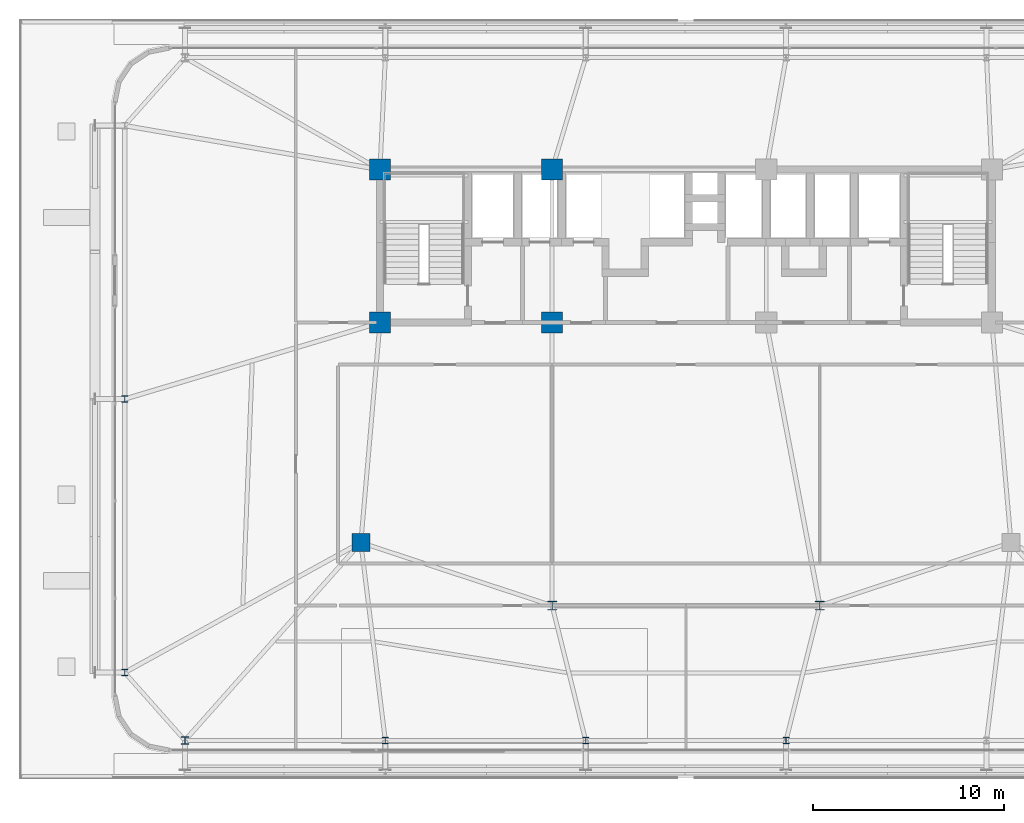
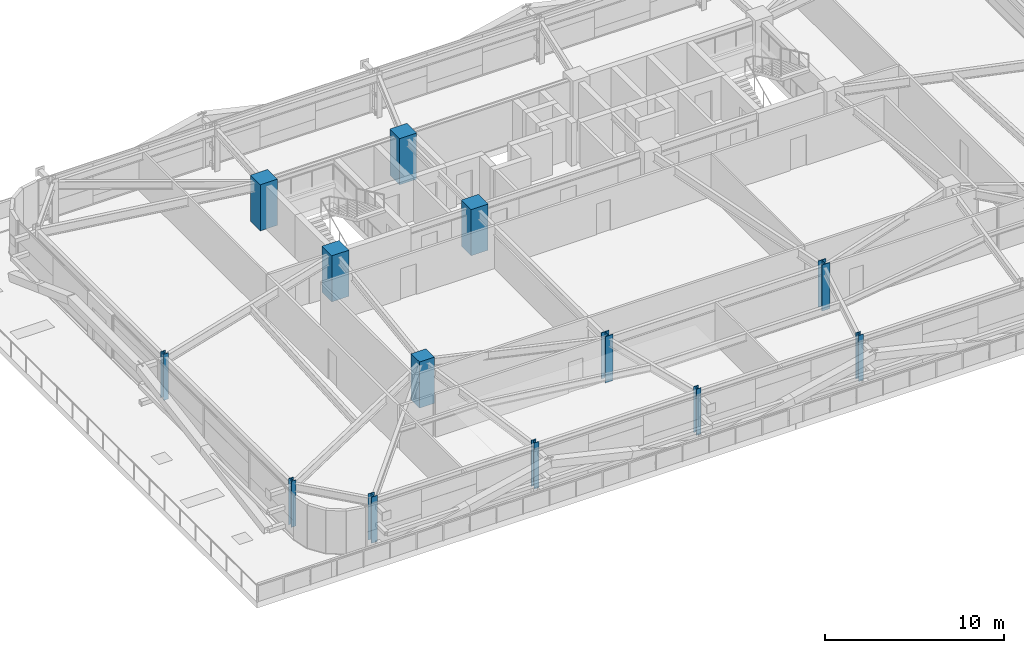
# One storey, part 1 of 56: 13 columns.
"""IFC4 building model written with IfcOpenShell, lengths in metres."""

from ifc_helpers import new_model, si_unit, direction, frame, origin, origin_2d, place, context, subcontext, project, spatial, rectangle, i_section, extrude, source, transform, mapped, material, material_profile, profile_set, type_object, element, save


model = new_model("IFC4")

# Units and contexts
model_context = context("Model", 3, precision=1e-05, world=origin(), true_north=direction((0.0, 1.0)))
body_context = subcontext(model_context, "Body", "Model", "MODEL_VIEW")
ifc_project = project(units=[si_unit("LENGTHUNIT", "METRE"), si_unit("AREAUNIT", "SQUARE_METRE"), si_unit("VOLUMEUNIT", "CUBIC_METRE"), si_unit("PLANEANGLEUNIT", "RADIAN"), si_unit("MASSUNIT", "GRAM", prefix="KILO")], contexts=[model_context])

# Site, building, storey
site_placement = place(None, origin())
site = spatial("IfcSite", under=ifc_project, at=site_placement, CompositionType="ELEMENT")
building_placement = place(site_placement, origin())
building = spatial("IfcBuilding", under=site, at=building_placement, Name="Taldren Reach Tower", CompositionType="ELEMENT")
storey_placement = place(building_placement, frame((0.0, 0.0, 16.800048828125)))
storey = spatial("IfcBuildingStorey", under=building, at=storey_placement, Name="L04", CompositionType="ELEMENT", Elevation=16.800048828125)

# Columns
ifc_material_1 = material(Name="Concrete S100 (100 MPa)", Category="concrete")
ifc_material_profile_1 = material_profile(ifc_material_1, rectangle(XDim=1.10009765625, YDim=1.10009765625, at=origin_2d()), Name="RC-1100x1100")
ifc_profile_set_1 = profile_set([ifc_material_profile_1], Name="Concrete S100 (100 MPa)")
column_type_1 = type_object("IfcColumnType", Name="COL-RC1100", PredefinedType="COLUMN", material=ifc_profile_set_1)
shared_shape_1 = source(origin(), body_context, "Body", "SweptSolid", [
    extrude(rectangle(XDim=1.10009765625, YDim=1.10009765625, at=origin_2d()), origin(), (0.0, 0.0, 1.0), 3.14990234375),
])
for number, where, z_axis, x_axis, name in (
    (1, (19.0, 24.0, 0.0), (0.0, 0.0, 1.0), (1.0, 0.0, 0.0), "Mega column MC-C1 L04"),
    (2, (28.0, 24.0, 0.0), (0.0, 0.0, 1.0), (1.0, 0.0, 0.0), "Mega column MC-C2 L04"),
    (3, (19.0, 32.0, 0.0), (0.0, 0.0, 1.0), (1.0, 0.0, 0.0), "Mega column MC-C5 L04"),
    (4, (28.0, 32.0, 0.0), (0.0, 0.0, 1.0), (1.0, 0.0, 0.0), "Mega column MC-C6 L04"),
):
    element("IfcColumn", number, at=place(storey_placement, frame(where, z_axis=z_axis, x_axis=x_axis)), inside=storey, type_object=column_type_1, Name=name, PredefinedType="COLUMN", context=body_context, shape_type="MappedRepresentation", body=[
        mapped(shared_shape_1, transform((0.0, 0.0, 0.0), scale=1.0)),
    ])
ifc_material_2 = material(Name="Steel Gr 350 (350PLUS)", Category="steel")
ifc_material_profile_2 = material_profile(ifc_material_2, i_section(OverallWidth=0.5, OverallDepth=0.47998046875, WebThickness=0.028076171875, FlangeThickness=0.0439453125, at=origin_2d()), Name="500WC440")
ifc_profile_set_2 = profile_set([ifc_material_profile_2], Name="Steel Gr 350 (350PLUS)")
column_type_2 = type_object("IfcColumnType", Name="COL-WC500A", PredefinedType="COLUMN", material=ifc_profile_set_2)
shared_shape_2 = source(origin(), body_context, "Body", "SweptSolid", [
    extrude(i_section(OverallWidth=0.5, OverallDepth=0.47998046875, WebThickness=0.028076171875, FlangeThickness=0.0439453125, at=origin_2d()), origin(), (0.0, 0.0, 1.0), 3.14990234375),
])
for number, where, z_axis, x_axis, name in (
    (5, (28.0, 9.199951171875, 0.0), (0.0, 0.0, 1.0), (1.0, 0.0, 0.0), "Mega column MC-PJW L04"),
    (6, (42.0, 9.199951171875, 0.0), (0.0, 0.0, 1.0), (1.0, 0.0, 0.0), "Mega column MC-PJE L04"),
):
    element("IfcColumn", number, at=place(storey_placement, frame(where, z_axis=z_axis, x_axis=x_axis)), inside=storey, type_object=column_type_2, Name=name, PredefinedType="COLUMN", context=body_context, shape_type="MappedRepresentation", body=[
        mapped(shared_shape_2, transform((0.0, 0.0, 0.0), scale=1.0)),
    ])
ifc_material_3 = material(Name="Concrete S80 (80 MPa)", Category="concrete")
ifc_material_profile_3 = material_profile(ifc_material_3, rectangle(XDim=0.949951171875, YDim=0.949951171875, at=origin_2d()), Name="RC-950x950")
ifc_profile_set_3 = profile_set([ifc_material_profile_3], Name="Concrete S80 (80 MPa)")
column_type_3 = type_object("IfcColumnType", Name="COL-RC950", PredefinedType="COLUMN", material=ifc_profile_set_3)
shared_shape_3 = source(origin(), body_context, "Body", "SweptSolid", [
    extrude(rectangle(XDim=0.949951171875, YDim=0.949951171875, at=origin_2d()), origin(), (0.0, 0.0, 1.0), 3.14990234375),
])
column_1_placement = place(storey_placement, frame((18.0, 12.5, 0.0), z_axis=(0.0, 0.0, 1.0), x_axis=(1.0, 0.0, 0.0)))
element("IfcColumn", 7, at=column_1_placement, inside=storey, type_object=column_type_3, Name="Mega column MC-SW L04", PredefinedType="COLUMN", context=body_context, shape_type="MappedRepresentation", body=[
    mapped(shared_shape_3, transform((0.0, 0.0, 0.0), scale=1.0)),
])
ifc_material_profile_4 = material_profile(ifc_material_2, i_section(OverallWidth=0.39990234375, OverallDepth=0.39599609375, WebThickness=0.02197265625, FlangeThickness=0.033935546875, at=origin_2d()), Name="400WC270")
ifc_profile_set_4 = profile_set([ifc_material_profile_4], Name="Steel Gr 350 (350PLUS)")
column_type_4 = type_object("IfcColumnType", Name="COL-WC400", PredefinedType="COLUMN", material=ifc_profile_set_4)
shared_shape_4 = source(origin(), body_context, "Body", "SweptSolid", [
    extrude(i_section(OverallWidth=0.39990234375, OverallDepth=0.39599609375, WebThickness=0.02197265625, FlangeThickness=0.033935546875, at=origin_2d()), origin(), (0.0, 0.0, 1.0), 3.14990234375),
])
column_2_placement = place(storey_placement, frame((8.800048828125, 2.14990234375, 0.0), z_axis=(0.0, 0.0, 1.0), x_axis=(1.0, 0.0, 0.0)))
element("IfcColumn", 8, at=column_2_placement, inside=storey, type_object=column_type_4, Name="Block B1 perimeter column S1 L04", PredefinedType="COLUMN", context=body_context, shape_type="MappedRepresentation", body=[
    mapped(shared_shape_4, transform((0.0, 0.0, 0.0), scale=1.0)),
])
ifc_material_profile_5 = material_profile(ifc_material_2, i_section(OverallWidth=0.31103515625, OverallDepth=0.326904296875, WebThickness=0.015625, FlangeThickness=0.02490234375, at=origin_2d()), Name="310UC158")
ifc_profile_set_5 = profile_set([ifc_material_profile_5], Name="Steel Gr 350 (350PLUS)")
column_type_5 = type_object("IfcColumnType", Name="COL-UC310A", PredefinedType="COLUMN", material=ifc_profile_set_5)
shared_shape_5 = source(origin(), body_context, "Body", "SweptSolid", [
    extrude(i_section(OverallWidth=0.31103515625, OverallDepth=0.326904296875, WebThickness=0.015625, FlangeThickness=0.02490234375, at=origin_2d()), origin(), (0.0, 0.0, 1.0), 3.14990234375),
])
for number, where, z_axis, x_axis, name in (
    (9, (19.280029296875, 2.14990234375, 0.0), (0.0, 0.0, 1.0), (1.0, 0.0, 0.0), "Block B1 perimeter column S2 L04"),
    (10, (29.760009765625, 2.14990234375, 0.0), (0.0, 0.0, 1.0), (1.0, 0.0, 0.0), "Block B1 perimeter column S3 L04"),
    (11, (40.239990234375, 2.14990234375, 0.0), (0.0, 0.0, 1.0), (1.0, 0.0, 0.0), "Block B1 perimeter column S4 L04"),
    (12, (5.64990234375, 5.699951171875, 0.0), (0.0, 0.0, 1.0), (1.0, 0.0, 0.0), "Block B1 perimeter column W1 L04"),
    (13, (5.64990234375, 20.0, 0.0), (0.0, 0.0, 1.0), (1.0, 0.0, 0.0), "Block B1 perimeter column W2 L04"),
):
    element("IfcColumn", number, at=place(storey_placement, frame(where, z_axis=z_axis, x_axis=x_axis)), inside=storey, type_object=column_type_5, Name=name, PredefinedType="COLUMN", context=body_context, shape_type="MappedRepresentation", body=[
        mapped(shared_shape_5, transform((0.0, 0.0, 0.0), scale=1.0)),
    ])

save(model, "model.ifc")
